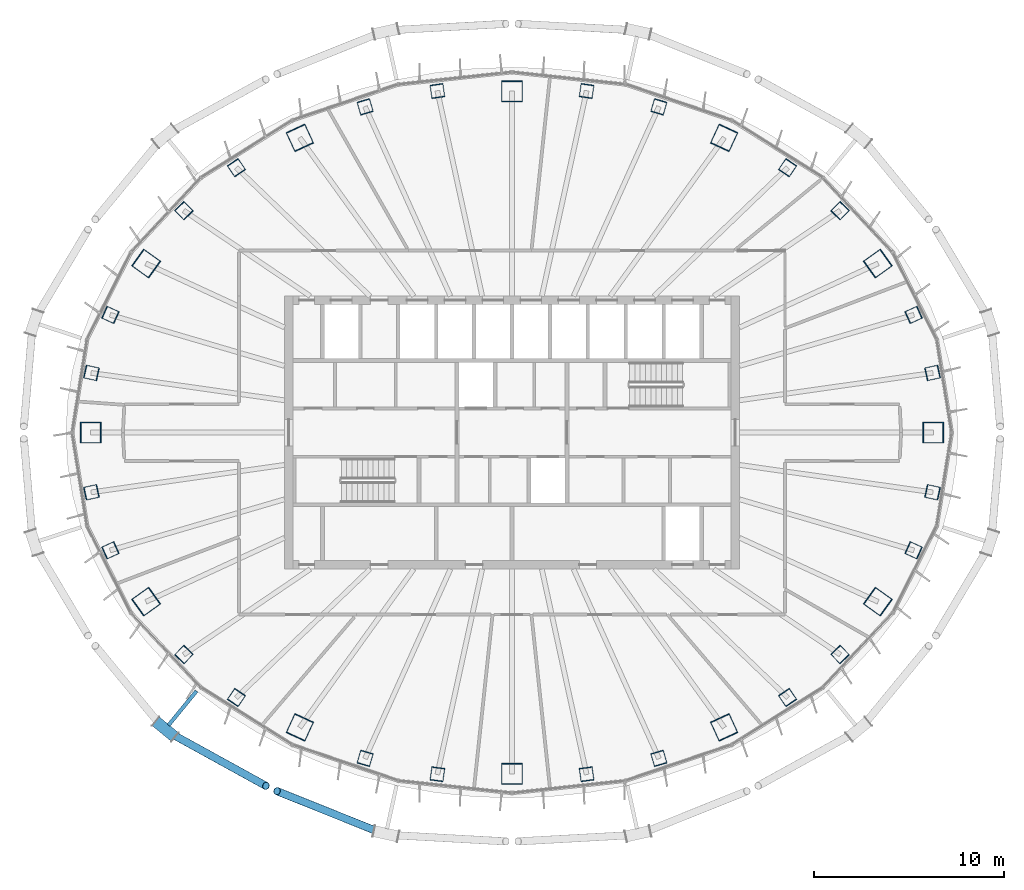
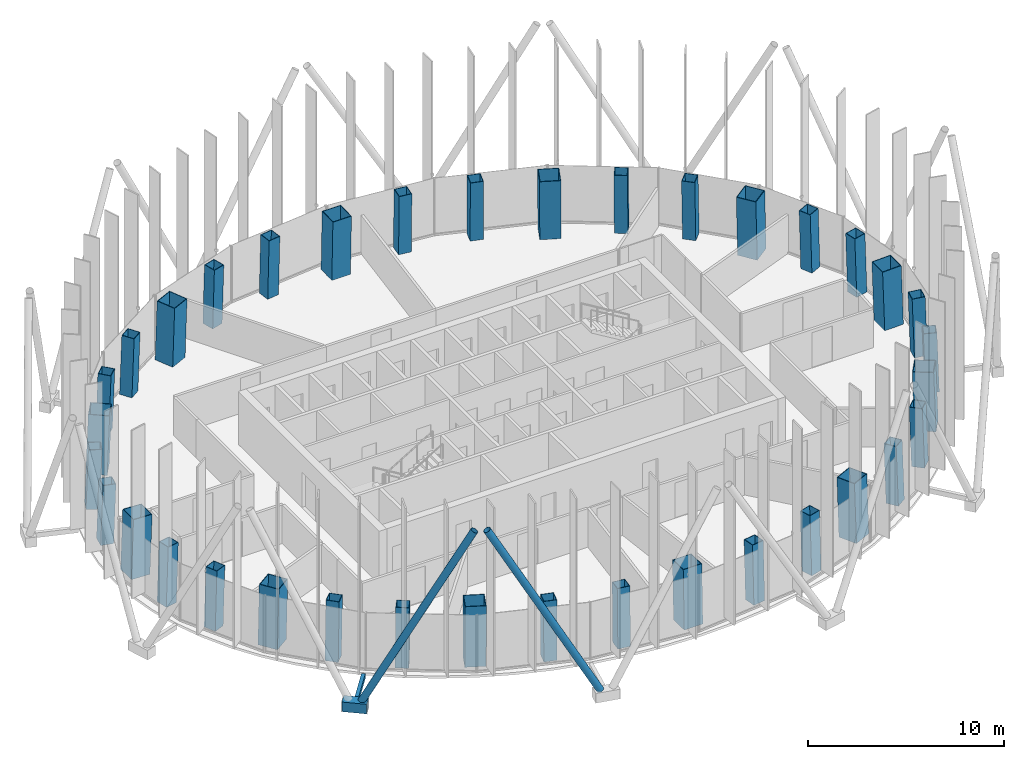
# One storey, part 1 of 19: 36 columns, 4 members.
"""IFC4 building model written with IfcOpenShell, lengths in metres."""

from ifc_helpers import new_model, si_unit, direction, frame, origin, origin_2d, place, context, subcontext, project, spatial, hollow_rectangle, hollow_circle, extrude, material, material_profile, profile_set, type_object, element, save


model = new_model("IFC4")

# Units and contexts
model_context = context("Model", 3, precision=1e-05, world=origin(), true_north=direction((0.0, 1.0)))
body_context = subcontext(model_context, "Body", "Model", "MODEL_VIEW")
ifc_project = project(units=[si_unit("LENGTHUNIT", "METRE"), si_unit("AREAUNIT", "SQUARE_METRE"), si_unit("VOLUMEUNIT", "CUBIC_METRE"), si_unit("PLANEANGLEUNIT", "RADIAN"), si_unit("MASSUNIT", "GRAM", prefix="KILO")], contexts=[model_context])

# Site, building, storey
site_placement = place(None, origin())
site = spatial("IfcSite", under=ifc_project, at=site_placement, CompositionType="ELEMENT")
building_placement = place(site_placement, origin())
building = spatial("IfcBuilding", under=site, at=building_placement, Name="Siaravel Broadcast Tower", CompositionType="ELEMENT")
storey_placement = place(building_placement, frame((0.0, 0.0, 179.300048828125)))
storey = spatial("IfcBuildingStorey", under=building, at=storey_placement, Name="L43", CompositionType="ELEMENT", Elevation=179.300048828125)

# Columns
ifc_material_1 = material(Name="Concrete C60/75", Category="concrete")
ifc_material_profile_1 = material_profile(ifc_material_1, hollow_rectangle(XDim=1.10009765625, YDim=1.10009765625, WallThickness=0.031982421875, at=origin_2d()))
ifc_profile_set_1 = profile_set([ifc_material_profile_1], Name="Concrete C60/75")
column_type_1 = type_object("IfcColumnType", Name="COL-CFT BOX 1100x1100x32", PredefinedType="COLUMN", material=ifc_profile_set_1)
column_1_placement = place(storey_placement, frame((22.236572265625, 0.0, 0.0), z_axis=(-0.034621265, 0.0, 0.999400504), x_axis=(0.0, -1.0, 0.0)))
element("IfcColumn", 1, at=column_1_placement, inside=storey, type_object=column_type_1, Name="Megacolumn MC01", PredefinedType="COLUMN", context=body_context, shape_type="SweptSolid", body=[
    extrude(hollow_rectangle(XDim=1.10009765625, YDim=1.10009765625, WallThickness=0.031982421875, at=origin_2d()), origin(), (0.0, 0.0, 1.0), 3.7021484375),
])
column_2_placement = place(storey_placement, frame((19.31103515625, 8.923828125, 0.0), z_axis=(-0.029940695, -0.014113015, 0.999452039), x_axis=(0.582226387, -0.813004855, 0.00596158)))
element("IfcColumn", 2, at=column_2_placement, inside=storey, type_object=column_type_1, Name="Megacolumn MC02", PredefinedType="COLUMN", context=body_context, shape_type="SweptSolid", body=[
    extrude(hollow_rectangle(XDim=1.10009765625, YDim=1.10009765625, WallThickness=0.031982421875, at=origin_2d()), origin(), (0.0, 0.0, 1.0), 3.701904296875),
])
column_3_placement = place(storey_placement, frame((11.197998046875, 15.559814453125, 0.0), z_axis=(-0.017280237, -0.024535299, 0.999549605), x_axis=(0.908270939, -0.418347201, 0.005433311)))
element("IfcColumn", 3, at=column_3_placement, inside=storey, type_object=column_type_1, Name="Megacolumn MC03", PredefinedType="COLUMN", context=body_context, shape_type="SweptSolid", body=[
    extrude(hollow_rectangle(XDim=1.10009765625, YDim=1.10009765625, WallThickness=0.031982421875, at=origin_2d()), origin(), (0.0, 0.0, 1.0), 3.70166015625),
])
column_4_placement = place(storey_placement, frame((0.0, 18.015380859375, 0.0), z_axis=(0.0, -0.02836206, 0.999597716), x_axis=(1.0, 0.0, 0.0)))
element("IfcColumn", 4, at=column_4_placement, inside=storey, type_object=column_type_1, Name="Megacolumn MC04", PredefinedType="COLUMN", context=body_context, shape_type="SweptSolid", body=[
    extrude(hollow_rectangle(XDim=1.10009765625, YDim=1.10009765625, WallThickness=0.031982421875, at=origin_2d()), origin(), (0.0, 0.0, 1.0), 3.701416015625),
])
column_5_placement = place(storey_placement, frame((-11.197998046875, 15.559814453125, 0.0), z_axis=(0.017280237, -0.024535299, 0.999549605), x_axis=(0.908270939, 0.418347201, -0.005433311)))
element("IfcColumn", 5, at=column_5_placement, inside=storey, type_object=column_type_1, Name="Megacolumn MC05", PredefinedType="COLUMN", context=body_context, shape_type="SweptSolid", body=[
    extrude(hollow_rectangle(XDim=1.10009765625, YDim=1.10009765625, WallThickness=0.031982421875, at=origin_2d()), origin(), (0.0, 0.0, 1.0), 3.70166015625),
])
column_6_placement = place(storey_placement, frame((-19.31103515625, 8.923828125, 0.0), z_axis=(0.029940695, -0.014113015, 0.999452039), x_axis=(0.582226387, 0.813004855, -0.00596158)))
element("IfcColumn", 6, at=column_6_placement, inside=storey, type_object=column_type_1, Name="Megacolumn MC06", PredefinedType="COLUMN", context=body_context, shape_type="SweptSolid", body=[
    extrude(hollow_rectangle(XDim=1.10009765625, YDim=1.10009765625, WallThickness=0.031982421875, at=origin_2d()), origin(), (0.0, 0.0, 1.0), 3.701904296875),
])
column_7_placement = place(storey_placement, frame((-22.236572265625, 0.0, 0.0), z_axis=(0.034621265, 0.0, 0.999400504), x_axis=(0.0, 1.0, 0.0)))
element("IfcColumn", 7, at=column_7_placement, inside=storey, type_object=column_type_1, Name="Megacolumn MC07", PredefinedType="COLUMN", context=body_context, shape_type="SweptSolid", body=[
    extrude(hollow_rectangle(XDim=1.10009765625, YDim=1.10009765625, WallThickness=0.031982421875, at=origin_2d()), origin(), (0.0, 0.0, 1.0), 3.7021484375),
])
column_8_placement = place(storey_placement, frame((-19.31103515625, -8.923828125, 0.0), z_axis=(0.029940695, 0.014113015, 0.999452039), x_axis=(-0.582226387, 0.813004855, 0.00596158)))
element("IfcColumn", 8, at=column_8_placement, inside=storey, type_object=column_type_1, Name="Megacolumn MC08", PredefinedType="COLUMN", context=body_context, shape_type="SweptSolid", body=[
    extrude(hollow_rectangle(XDim=1.10009765625, YDim=1.10009765625, WallThickness=0.031982421875, at=origin_2d()), origin(), (0.0, 0.0, 1.0), 3.701904296875),
])
column_9_placement = place(storey_placement, frame((-11.197998046875, -15.559814453125, 0.0), z_axis=(0.017280237, 0.024535299, 0.999549605), x_axis=(-0.908270939, 0.418347201, 0.005433311)))
element("IfcColumn", 9, at=column_9_placement, inside=storey, type_object=column_type_1, Name="Megacolumn MC09", PredefinedType="COLUMN", context=body_context, shape_type="SweptSolid", body=[
    extrude(hollow_rectangle(XDim=1.10009765625, YDim=1.10009765625, WallThickness=0.031982421875, at=origin_2d()), origin(), (0.0, 0.0, 1.0), 3.70166015625),
])
column_10_placement = place(storey_placement, frame((0.0, -18.015380859375, 0.0), z_axis=(0.0, 0.02836206, 0.999597716), x_axis=(-1.0, 0.0, 0.0)))
element("IfcColumn", 10, at=column_10_placement, inside=storey, type_object=column_type_1, Name="Megacolumn MC10", PredefinedType="COLUMN", context=body_context, shape_type="SweptSolid", body=[
    extrude(hollow_rectangle(XDim=1.10009765625, YDim=1.10009765625, WallThickness=0.031982421875, at=origin_2d()), origin(), (0.0, 0.0, 1.0), 3.701416015625),
])
column_11_placement = place(storey_placement, frame((11.197998046875, -15.559814453125, 0.0), z_axis=(-0.017280237, 0.024535299, 0.999549605), x_axis=(-0.908270939, -0.418347201, -0.005433311)))
element("IfcColumn", 11, at=column_11_placement, inside=storey, type_object=column_type_1, Name="Megacolumn MC11", PredefinedType="COLUMN", context=body_context, shape_type="SweptSolid", body=[
    extrude(hollow_rectangle(XDim=1.10009765625, YDim=1.10009765625, WallThickness=0.031982421875, at=origin_2d()), origin(), (0.0, 0.0, 1.0), 3.70166015625),
])
column_12_placement = place(storey_placement, frame((19.31103515625, -8.923828125, 0.0), z_axis=(-0.029940695, 0.014113015, 0.999452039), x_axis=(-0.582226387, -0.813004855, -0.00596158)))
element("IfcColumn", 12, at=column_12_placement, inside=storey, type_object=column_type_1, Name="Megacolumn MC12", PredefinedType="COLUMN", context=body_context, shape_type="SweptSolid", body=[
    extrude(hollow_rectangle(XDim=1.10009765625, YDim=1.10009765625, WallThickness=0.031982421875, at=origin_2d()), origin(), (0.0, 0.0, 1.0), 3.701904296875),
])
ifc_material_profile_2 = material_profile(ifc_material_1, hollow_rectangle(XDim=0.699951171875, YDim=0.699951171875, WallThickness=0.02490234375, at=origin_2d()))
ifc_profile_set_2 = profile_set([ifc_material_profile_2], Name="Concrete C60/75")
column_type_2 = type_object("IfcColumnType", Name="COL-CFT BOX 700x700x25", PredefinedType="COLUMN", material=ifc_profile_set_2)
for number, where, z_axis, x_axis, name in (
    (13, (22.199951171875, 3.15087890625, 0.0), (-0.034093914, -0.00487998, 0.999406719), (0.211549518, -0.977364224, 0.002444484), "Perimeter column C01"),
    (14, (21.197998046875, 6.212890625, 0.0), (-0.032445914, -0.009694206, 0.999426478), (0.410759252, -0.911732781, 0.00449151), "Perimeter column C02"),
):
    element("IfcColumn", number, at=place(storey_placement, frame(where, z_axis=z_axis, x_axis=x_axis)), inside=storey, type_object=column_type_2, Name=name, PredefinedType="COLUMN", context=body_context, shape_type="SweptSolid", body=[
        extrude(hollow_rectangle(XDim=0.699951171875, YDim=0.699951171875, WallThickness=0.02490234375, at=origin_2d()), origin(), (0.0, 0.0, 1.0), 3.7021484375),
    ])
column_13_placement = place(storey_placement, frame((17.318115234375, 11.714599609375, 0.0), z_axis=(-0.026512179, -0.018202391, 0.999482755), x_axis=(0.720310502, -0.693621553, 0.006474779)))
element("IfcColumn", 15, at=column_13_placement, inside=storey, type_object=column_type_2, Name="Perimeter column C03", PredefinedType="COLUMN", context=body_context, shape_type="SweptSolid", body=[
    extrude(hollow_rectangle(XDim=0.699951171875, YDim=0.699951171875, WallThickness=0.02490234375, at=origin_2d()), origin(), (0.0, 0.0, 1.0), 3.701904296875),
])
column_14_placement = place(storey_placement, frame((14.54736328125, 13.98388671875, 0.0), z_axis=(-0.022226156, -0.021698532, 0.999517469), x_axis=(0.828399479, -0.560102753, 0.00626175)))
element("IfcColumn", 16, at=column_14_placement, inside=storey, type_object=column_type_2, Name="Perimeter column C04", PredefinedType="COLUMN", context=body_context, shape_type="SweptSolid", body=[
    extrude(hollow_rectangle(XDim=0.699951171875, YDim=0.699951171875, WallThickness=0.02490234375, at=origin_2d()), origin(), (0.0, 0.0, 1.0), 3.70166015625),
])
for number, where, z_axis, x_axis, name in (
    (17, (7.7529296875, 17.19580078125, 0.0), (-0.011806287, -0.026580634, 0.999576951), (0.959873948, -0.280404963, 0.003880847), "Perimeter column C05"),
    (18, (3.93798828125, 18.033203125, 0.0), (-0.006002162, -0.027966118, 0.999590851), (0.99022981, -0.139430062, 0.002045039), "Perimeter column C06"),
    (19, (-3.93798828125, 18.033203125, 0.0), (0.006002162, -0.027966118, 0.999590851), (0.99022981, 0.139430062, -0.002045039), "Perimeter column C07"),
    (20, (-7.7529296875, 17.19580078125, 0.0), (0.011806287, -0.026580634, 0.999576951), (0.959873948, 0.280404963, -0.003880847), "Perimeter column C08"),
):
    element("IfcColumn", number, at=place(storey_placement, frame(where, z_axis=z_axis, x_axis=x_axis)), inside=storey, type_object=column_type_2, Name=name, PredefinedType="COLUMN", context=body_context, shape_type="SweptSolid", body=[
        extrude(hollow_rectangle(XDim=0.699951171875, YDim=0.699951171875, WallThickness=0.02490234375, at=origin_2d()), origin(), (0.0, 0.0, 1.0), 3.701416015625),
    ])
column_15_placement = place(storey_placement, frame((-14.54736328125, 13.98388671875, 0.0), z_axis=(0.022226156, -0.021698532, 0.999517469), x_axis=(0.828399479, 0.560102753, -0.00626175)))
element("IfcColumn", 21, at=column_15_placement, inside=storey, type_object=column_type_2, Name="Perimeter column C09", PredefinedType="COLUMN", context=body_context, shape_type="SweptSolid", body=[
    extrude(hollow_rectangle(XDim=0.699951171875, YDim=0.699951171875, WallThickness=0.02490234375, at=origin_2d()), origin(), (0.0, 0.0, 1.0), 3.70166015625),
])
column_16_placement = place(storey_placement, frame((-17.318115234375, 11.714599609375, 0.0), z_axis=(0.026512179, -0.018202391, 0.999482755), x_axis=(0.720310502, 0.693621553, -0.006474779)))
element("IfcColumn", 22, at=column_16_placement, inside=storey, type_object=column_type_2, Name="Perimeter column C10", PredefinedType="COLUMN", context=body_context, shape_type="SweptSolid", body=[
    extrude(hollow_rectangle(XDim=0.699951171875, YDim=0.699951171875, WallThickness=0.02490234375, at=origin_2d()), origin(), (0.0, 0.0, 1.0), 3.701904296875),
])
for number, where, z_axis, x_axis, name in (
    (23, (-21.197998046875, 6.212890625, 0.0), (0.032445914, -0.009694206, 0.999426478), (0.410759252, 0.911732781, -0.00449151), "Perimeter column C11"),
    (24, (-22.199951171875, 3.15087890625, 0.0), (0.034093914, -0.00487998, 0.999406719), (0.211549518, 0.977364224, -0.002444484), "Perimeter column C12"),
    (25, (-22.199951171875, -3.15087890625, 0.0), (0.034093914, 0.00487998, 0.999406719), (-0.211549518, 0.977364224, 0.002444484), "Perimeter column C13"),
    (26, (-21.197998046875, -6.212890625, 0.0), (0.032445914, 0.009694206, 0.999426478), (-0.410759252, 0.911732781, 0.00449151), "Perimeter column C14"),
):
    element("IfcColumn", number, at=place(storey_placement, frame(where, z_axis=z_axis, x_axis=x_axis)), inside=storey, type_object=column_type_2, Name=name, PredefinedType="COLUMN", context=body_context, shape_type="SweptSolid", body=[
        extrude(hollow_rectangle(XDim=0.699951171875, YDim=0.699951171875, WallThickness=0.02490234375, at=origin_2d()), origin(), (0.0, 0.0, 1.0), 3.7021484375),
    ])
column_17_placement = place(storey_placement, frame((-17.318115234375, -11.714599609375, 0.0), z_axis=(0.026512179, 0.018202391, 0.999482755), x_axis=(-0.720310502, 0.693621553, 0.006474779)))
element("IfcColumn", 27, at=column_17_placement, inside=storey, type_object=column_type_2, Name="Perimeter column C15", PredefinedType="COLUMN", context=body_context, shape_type="SweptSolid", body=[
    extrude(hollow_rectangle(XDim=0.699951171875, YDim=0.699951171875, WallThickness=0.02490234375, at=origin_2d()), origin(), (0.0, 0.0, 1.0), 3.701904296875),
])
column_18_placement = place(storey_placement, frame((-14.54736328125, -13.98388671875, 0.0), z_axis=(0.022226156, 0.021698532, 0.999517469), x_axis=(-0.828399479, 0.560102753, 0.00626175)))
element("IfcColumn", 28, at=column_18_placement, inside=storey, type_object=column_type_2, Name="Perimeter column C16", PredefinedType="COLUMN", context=body_context, shape_type="SweptSolid", body=[
    extrude(hollow_rectangle(XDim=0.699951171875, YDim=0.699951171875, WallThickness=0.02490234375, at=origin_2d()), origin(), (0.0, 0.0, 1.0), 3.70166015625),
])
for number, where, z_axis, x_axis, name in (
    (29, (-7.7529296875, -17.19580078125, 0.0), (0.011806287, 0.026580634, 0.999576951), (-0.959873948, 0.280404963, 0.003880847), "Perimeter column C17"),
    (30, (-3.93798828125, -18.033203125, 0.0), (0.006002162, 0.027966118, 0.999590851), (-0.99022981, 0.139430062, 0.002045039), "Perimeter column C18"),
    (31, (3.93798828125, -18.033203125, 0.0), (-0.006002162, 0.027966118, 0.999590851), (-0.99022981, -0.139430062, -0.002045039), "Perimeter column C19"),
    (32, (7.7529296875, -17.19580078125, 0.0), (-0.011806287, 0.026580634, 0.999576951), (-0.959873948, -0.280404963, -0.003880847), "Perimeter column C20"),
):
    element("IfcColumn", number, at=place(storey_placement, frame(where, z_axis=z_axis, x_axis=x_axis)), inside=storey, type_object=column_type_2, Name=name, PredefinedType="COLUMN", context=body_context, shape_type="SweptSolid", body=[
        extrude(hollow_rectangle(XDim=0.699951171875, YDim=0.699951171875, WallThickness=0.02490234375, at=origin_2d()), origin(), (0.0, 0.0, 1.0), 3.701416015625),
    ])
column_19_placement = place(storey_placement, frame((14.54736328125, -13.98388671875, 0.0), z_axis=(-0.022226156, 0.021698532, 0.999517469), x_axis=(-0.828399479, -0.560102753, -0.00626175)))
element("IfcColumn", 33, at=column_19_placement, inside=storey, type_object=column_type_2, Name="Perimeter column C21", PredefinedType="COLUMN", context=body_context, shape_type="SweptSolid", body=[
    extrude(hollow_rectangle(XDim=0.699951171875, YDim=0.699951171875, WallThickness=0.02490234375, at=origin_2d()), origin(), (0.0, 0.0, 1.0), 3.70166015625),
])
column_20_placement = place(storey_placement, frame((17.318115234375, -11.714599609375, 0.0), z_axis=(-0.026512179, 0.018202391, 0.999482755), x_axis=(-0.720310502, -0.693621553, -0.006474779)))
element("IfcColumn", 34, at=column_20_placement, inside=storey, type_object=column_type_2, Name="Perimeter column C22", PredefinedType="COLUMN", context=body_context, shape_type="SweptSolid", body=[
    extrude(hollow_rectangle(XDim=0.699951171875, YDim=0.699951171875, WallThickness=0.02490234375, at=origin_2d()), origin(), (0.0, 0.0, 1.0), 3.701904296875),
])
for number, where, z_axis, x_axis, name in (
    (35, (21.197998046875, -6.212890625, 0.0), (-0.032445914, 0.009694206, 0.999426478), (-0.410759252, -0.911732781, -0.00449151), "Perimeter column C23"),
    (36, (22.199951171875, -3.15087890625, 0.0), (-0.034093914, 0.00487998, 0.999406719), (-0.211549518, -0.977364224, -0.002444484), "Perimeter column C24"),
):
    element("IfcColumn", number, at=place(storey_placement, frame(where, z_axis=z_axis, x_axis=x_axis)), inside=storey, type_object=column_type_2, Name=name, PredefinedType="COLUMN", context=body_context, shape_type="SweptSolid", body=[
        extrude(hollow_rectangle(XDim=0.699951171875, YDim=0.699951171875, WallThickness=0.02490234375, at=origin_2d()), origin(), (0.0, 0.0, 1.0), 3.7021484375),
    ])

# Members
ifc_material_2 = material(Name="Steel S460", Category="steel")
ifc_material_profile_3 = material_profile(ifc_material_2, hollow_circle(Radius=0.203125, WallThickness=0.01611328125, at=origin_2d()))
ifc_profile_set_3 = profile_set([ifc_material_profile_3], Name="Steel S460")
member_type_1 = type_object("IfcMemberType", Name="Diagrid diagonal CHS 406.4x16", PredefinedType="BRACE", material=ifc_profile_set_3)
member_1_placement = place(storey_placement, frame((-18.034423828125, -15.84423828125, 0.070068359375), z_axis=(0.420262562, -0.231470996, 0.877382788), x_axis=(0.482441263, 0.875928323, 0.0)))
element("IfcMember", 37, at=member_1_placement, inside=storey, type_object=member_type_1, Name="Diagrid diagonal R18 station 45A", PredefinedType="BRACE", context=body_context, shape_type="SweptSolid", body=[
    extrude(hollow_circle(Radius=0.203125, WallThickness=0.01611328125, at=origin_2d()), origin(), (0.0, 0.0, 1.0), 12.03564453125),
])
member_2_placement = place(storey_placement, frame((-6.963134765625, -21.086181640625, 0.070068359375), z_axis=(-0.449666196, 0.180541969, 0.874759916), x_axis=(-0.372592122, -0.92799521, 0.0)))
element("IfcMember", 38, at=member_2_placement, inside=storey, type_object=member_type_1, Name="Diagrid diagonal R18 station 51C", PredefinedType="BRACE", context=body_context, shape_type="SweptSolid", body=[
    extrude(hollow_circle(Radius=0.203125, WallThickness=0.01611328125, at=origin_2d()), origin(), (0.0, 0.0, 1.0), 12.07177734375),
])
ifc_material_profile_4 = material_profile(ifc_material_2, hollow_rectangle(XDim=0.60009765625, YDim=0.60009765625, WallThickness=0.031982421875, at=origin_2d()))
ifc_profile_set_4 = profile_set([ifc_material_profile_4], Name="Steel S460")
member_type_2 = type_object("IfcMemberType", Name="Diagrid node BOX 600x600x32", PredefinedType="USERDEFINED", material=ifc_profile_set_4)
member_3_placement = place(storey_placement, frame((-18.78515625, -15.2294921875, -0.199951171875), z_axis=(0.773654476, -0.633607727, 0.0), x_axis=(0.633607727, 0.773654476, 0.0)))
element("IfcMember", 39, at=member_3_placement, inside=storey, type_object=member_type_2, Name="Diagrid node R18 station 45", ObjectType="DIAGRID NODE", PredefinedType="USERDEFINED", context=body_context, shape_type="SweptSolid", body=[
    extrude(hollow_rectangle(XDim=0.60009765625, YDim=0.60009765625, WallThickness=0.031982421875, at=origin_2d()), origin(), (0.0, 0.0, 1.0), 1.29345703125),
])
ifc_material_profile_5 = material_profile(ifc_material_2, hollow_rectangle(XDim=0.199951171875, YDim=0.300048828125, WallThickness=0.012451171875, at=origin_2d()))
ifc_profile_set_5 = profile_set([ifc_material_profile_5], Name="Steel S460")
member_type_3 = type_object("IfcMemberType", Name="Diagrid node arm RHS 300x200x12.5", PredefinedType="STRUT", material=ifc_profile_set_5)
member_4_placement = place(storey_placement, frame((-16.63720703125, -13.627685546875, -0.199951171875), z_axis=(-0.633648482, -0.773621097, 0.0), x_axis=(0.773621097, -0.633648482, 0.0)))
element("IfcMember", 40, at=member_4_placement, inside=storey, type_object=member_type_3, Name="Node arm R18 station 45", PredefinedType="STRUT", context=body_context, shape_type="SweptSolid", body=[
    extrude(hollow_rectangle(XDim=0.199951171875, YDim=0.300048828125, WallThickness=0.012451171875, at=origin_2d()), origin(), (0.0, 0.0, 1.0), 2.330322265625),
])

save(model, "model.ifc")
